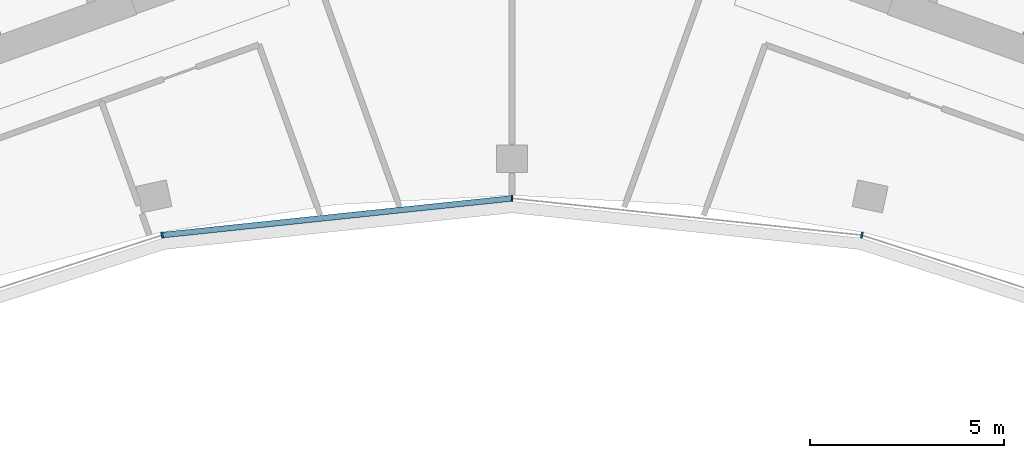
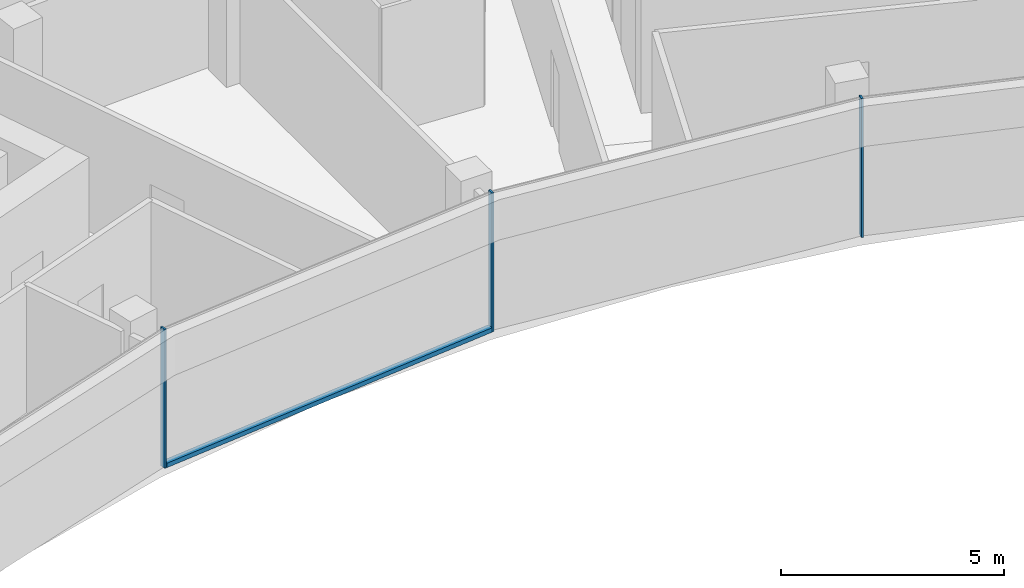
# One storey, part 5 of 18: 4 members, 1 element without a shape of its own.
"""IFC4 building model written with IfcOpenShell, lengths in metres."""

import ifcopenshell
import ifcopenshell.guid

model = None  # the IFC model being written
_history = None  # IfcOwnerHistory: only IFC2X3 demands one
_inside = {}  # id of a spatial element -> (the spatial element, [elements in it])
_under = {}  # id of a project, library or spatial element -> (it, [spatial elements below it])
_declared = {}  # id of a project -> (the project, [libraries it declares])
_typed = {}  # id of a type object -> (the type object, [elements of that type])
_made_of = {}  # id of a material, layer set ... -> (it, [elements and type objects made of it])


def new_model(schema):
    """Start an empty IFC model of exactly this schema.

    Asked for "IFC4X3", IfcOpenShell would pick the latest addendum, in which some entities
    have other attributes; the version numbers below select the first issue.
    IFC2X3 requires an IfcOwnerHistory on every rooted entity: one is made here for all.
    """
    global model, _history
    if schema == "IFC4X3":
        model = ifcopenshell.file(schema_version=(4, 3, 0, 0))
    else:
        model = ifcopenshell.file(schema=schema)
    _inside.clear()
    _under.clear()
    _declared.clear()
    _typed.clear()
    _made_of.clear()
    _history = None
    if model.schema == "IFC2X3":
        org = make("IfcOrganization", Name="unknown")
        user = make(
            "IfcPersonAndOrganization",
            ThePerson=make("IfcPerson", FamilyName="unknown"),
            TheOrganization=org,
        )
        app = make(
            "IfcApplication",
            ApplicationDeveloper=org,
            Version="unknown",
            ApplicationFullName="unknown",
            ApplicationIdentifier="unknown",
        )
        _history = make(
            "IfcOwnerHistory",
            OwningUser=user,
            OwningApplication=app,
            ChangeAction="ADDED",
            CreationDate=0,
        )
    return model


def make(cls, **values):
    """One entity of the class cls with the attributes given. An attribute that is None is left unset."""
    return model.create_entity(
        cls, **{name: value for name, value in values.items() if value is not None}
    )


def rooted(cls, **values):
    """An entity with a GlobalId (a new one), such as an element, a storey or a relation."""
    return make(cls, GlobalId=ifcopenshell.guid.new(), OwnerHistory=_history, **values)


def si_unit(unit_type, name, prefix=None):
    """IfcSIUnit, for example si_unit("LENGTHUNIT", "METRE", prefix="MILLI")."""
    return make("IfcSIUnit", UnitType=unit_type, Prefix=prefix, Name=name)


def assignment(units):
    """IfcUnitAssignment: the units of a project."""
    return None if units is None else make("IfcUnitAssignment", Units=units)


def point(xyz):
    """IfcCartesianPoint."""
    return None if xyz is None else make("IfcCartesianPoint", Coordinates=xyz)


def direction(xyz):
    """IfcDirection."""
    return None if xyz is None else make("IfcDirection", DirectionRatios=xyz)


def frame(location, z_axis=None, x_axis=None):
    """IfcAxis2Placement3D, a coordinate frame: its origin and axes. An axis left out is left unset."""
    return make(
        "IfcAxis2Placement3D",
        Location=point(location),
        Axis=direction(z_axis),
        RefDirection=direction(x_axis),
    )


def frame_2d(location, x_axis=None):
    """IfcAxis2Placement2D, a coordinate frame in the plane: its origin and x axis."""
    return make(
        "IfcAxis2Placement2D", Location=point(location), RefDirection=direction(x_axis)
    )


def origin():
    """The frame at (0, 0, 0) with its axes left unset."""
    return frame((0.0, 0.0, 0.0))


def origin_2d():
    """The frame at (0, 0) in the plane with its x axis left unset."""
    return frame_2d((0.0, 0.0))


def place(relative_to, where):
    """IfcLocalPlacement: puts the frame where relative to a parent placement (None: the world)."""
    return make(
        "IfcLocalPlacement", PlacementRelTo=relative_to, RelativePlacement=where
    )


def context(
    kind, dimensions, precision=None, world=None, true_north=None, identifier=None
):
    """IfcGeometricRepresentationContext, for example the 3D "Model" context."""
    return make(
        "IfcGeometricRepresentationContext",
        ContextIdentifier=identifier,
        ContextType=kind,
        CoordinateSpaceDimension=dimensions,
        Precision=precision,
        WorldCoordinateSystem=world,
        TrueNorth=true_north,
    )


def subcontext(parent, identifier, kind, view, scale=None):
    """IfcGeometricRepresentationSubContext, for example "Body" below "Model"."""
    return make(
        "IfcGeometricRepresentationSubContext",
        ContextIdentifier=identifier,
        ContextType=kind,
        ParentContext=parent,
        TargetScale=scale,
        TargetView=view,
    )


def project(units=None, contexts=None):
    """IfcProject with its units and contexts."""
    return rooted(
        "IfcProject",
        Name="project",
        RepresentationContexts=contexts,
        UnitsInContext=assignment(units),
    )


def spatial(cls, under=None, at=None, **own):
    """A site, building, storey or space (cls), placed at a placement, below another one or the project."""
    s = rooted(cls, ObjectPlacement=at, **own)
    if under is not None:
        _under.setdefault(under.id(), (under, []))[1].append(s)
    return s


def profile(cls, at=None, kind="AREA", **sizes):
    """A parametric profile (cls). Its sizes go by their IFC names, for example OverallWidth=200.0."""
    return make(cls, ProfileType=kind, Position=at, **sizes)


def rectangle(**sizes):
    """IfcRectangleProfileDef."""
    return profile("IfcRectangleProfileDef", **sizes)


def extrude(swept, where, along, depth):
    """IfcExtrudedAreaSolid: the profile swept, set in the frame where, extruded along a direction by depth."""
    return make(
        "IfcExtrudedAreaSolid",
        SweptArea=swept,
        Position=where,
        ExtrudedDirection=direction(along),
        Depth=depth,
    )


def shape(context_of_items, identifier, shape_type, items):
    """IfcShapeRepresentation: the items that make up one representation, for example the "Body"."""
    return make(
        "IfcShapeRepresentation",
        ContextOfItems=context_of_items,
        RepresentationIdentifier=identifier,
        RepresentationType=shape_type,
        Items=items,
    )


def material(Name=None, Category=None):
    """IfcMaterial."""
    return make("IfcMaterial", Name=Name, Category=Category)


def layer(
    of_material, thickness, ventilated=None, Name=None, Category=None, Priority=None
):
    """IfcMaterialLayer: one layer of a wall or slab, of a material (None: an air gap)."""
    return make(
        "IfcMaterialLayer",
        Material=of_material,
        LayerThickness=thickness,
        IsVentilated=ventilated,
        Name=Name,
        Category=Category,
        Priority=Priority,
    )


def layer_set(layers, Name=None):
    """IfcMaterialLayerSet."""
    return make("IfcMaterialLayerSet", MaterialLayers=layers, LayerSetName=Name)


def material_profile(
    of_material, cross_section, Name=None, Category=None, Priority=None
):
    """IfcMaterialProfile: a cross section and its material."""
    return make(
        "IfcMaterialProfile",
        Name=Name,
        Material=of_material,
        Profile=cross_section,
        Priority=Priority,
        Category=Category,
    )


def profile_set(profiles, Name=None, composite=None):
    """IfcMaterialProfileSet."""
    return make(
        "IfcMaterialProfileSet",
        Name=Name,
        MaterialProfiles=profiles,
        CompositeProfile=composite,
    )


def made_of(thing, what):
    """Note that an element or type object is made of a material, layer set ...; save() writes the relation."""
    if what is not None:
        _made_of.setdefault(what.id(), (what, []))[1].append(thing)
    return thing


def type_object(cls, material=None, **own):
    """A type object (cls), such as IfcWallType, which elements share."""
    return made_of(rooted(cls, **own), material)


def element(
    cls,
    number,
    at=None,
    inside=None,
    cuts=None,
    type_object=None,
    material=None,
    context=None,
    identifier="Body",
    shape_type=None,
    held_by="IfcProductDefinitionShape",
    body=None,
    shapes=None,
    **own,
):
    """One element of the class cls, such as IfcWall. Its Tag is "e" and its number.

    at: its placement. inside: the storey or other place that contains it. cuts: it is an
    opening in that element (IfcRelVoidsElement). A single representation is given by context,
    identifier, shape_type and body (its items); several are given by shapes. held_by: the class
    of the entity that holds the representations. save() writes the other relations.
    """
    e = rooted(cls, Tag="e%d" % number, ObjectPlacement=at, **own)
    if body is not None:
        shapes = [shape(context, identifier, shape_type, body)]
    if shapes is not None:
        e.Representation = make(held_by, Representations=shapes)
    if inside is not None:
        _inside.setdefault(inside.id(), (inside, []))[1].append(e)
    if cuts is not None:
        rooted(
            "IfcRelVoidsElement", RelatingBuildingElement=cuts, RelatedOpeningElement=e
        )
    if type_object is not None:
        _typed.setdefault(type_object.id(), (type_object, []))[1].append(e)
    return made_of(e, material)


def aggregate(whole, parts):
    """IfcRelAggregates: a whole, such as a stair, and the parts it consists of."""
    return rooted("IfcRelAggregates", RelatingObject=whole, RelatedObjects=parts)


def save(model, path):
    """Write the relations noted so far, then the file.

    IfcRelAggregates (storeys below a building ...), IfcRelContainedInSpatialStructure (elements
    in a storey), IfcRelDefinesByType, IfcRelAssociatesMaterial and IfcRelDeclares: one each for
    every whole, place, type object, material and project.
    """
    for whole, parts in _under.values():
        aggregate(whole, parts)
    for where, things in _inside.values():
        rooted(
            "IfcRelContainedInSpatialStructure",
            RelatedElements=things,
            RelatingStructure=where,
        )
    for kind, things in _typed.values():
        rooted("IfcRelDefinesByType", RelatedObjects=things, RelatingType=kind)
    for what, things in _made_of.values():
        rooted("IfcRelAssociatesMaterial", RelatedObjects=things, RelatingMaterial=what)
    for by, libraries in _declared.values():
        rooted("IfcRelDeclares", RelatingContext=by, RelatedDefinitions=libraries)
    model.write(path)


model = new_model("IFC4")

# Units and contexts
model_context = context("Model", 3, precision=1e-05, world=origin(), true_north=direction((0.0, 1.0)))
body_context = subcontext(model_context, "Body", "Model", "MODEL_VIEW")
ifc_project = project(units=[si_unit("LENGTHUNIT", "METRE"), si_unit("AREAUNIT", "SQUARE_METRE"), si_unit("VOLUMEUNIT", "CUBIC_METRE"), si_unit("PLANEANGLEUNIT", "RADIAN"), si_unit("MASSUNIT", "GRAM", prefix="KILO")], contexts=[model_context])

# Site, building, storey
site_placement = place(None, origin())
site = spatial("IfcSite", under=ifc_project, at=site_placement, CompositionType="ELEMENT")
building_placement = place(site_placement, origin())
building = spatial("IfcBuilding", under=site, at=building_placement, Name="Stone Belt Terrace Tower", CompositionType="ELEMENT")
storey_placement = place(building_placement, frame((0.0, 0.0, 277.0)))
storey = spatial("IfcBuildingStorey", under=building, at=storey_placement, Name="L67", CompositionType="ELEMENT", Elevation=277.0)

# Curtain wall, members
ifc_material = material(Name="Aluminium 6063-T6 anodised frame", Category="aluminium")
ifc_layer = layer(ifc_material, 0.14990234375)
ifc_layer_set = layer_set([ifc_layer], Name="CW-B unitised concave-face curtain wall")
curtain_wall_type = type_object("IfcCurtainWallType", Name="CW-B unitised concave-face curtain wall", PredefinedType="NOTDEFINED", material=ifc_layer_set)
curtain_wall_placement = place(storey_placement, origin())
curtain_wall = element("IfcCurtainWall", 1, at=curtain_wall_placement, inside=storey, type_object=curtain_wall_type, Name="CW-B concave face L67", PredefinedType="NOTDEFINED")
ifc_material_profile_1 = material_profile(ifc_material, rectangle(XDim=0.14990234375, YDim=0.050048828125, at=origin_2d()), Name="Aluminium 6063-T6 50x150")
ifc_profile_set_1 = profile_set([ifc_material_profile_1], Name="Aluminium 6063-T6 anodised frame")
member_type_1 = type_object("IfcMemberType", Name="CW-B mullion 50 x 150", PredefinedType="MULLION", material=ifc_profile_set_1)
member_1_placement = place(storey_placement, frame((-9.028564453125, 42.4755859375, 0.0), z_axis=(0.0, 0.0, 1.0), x_axis=(-0.207911690818, 0.978147600734, 0.0)))
member_1 = element("IfcMember", 2, at=member_1_placement, type_object=member_type_1, Name="CW-B mullion 4", PredefinedType="MULLION", context=body_context, shape_type="SweptSolid", body=[
    extrude(rectangle(XDim=0.14990234375, YDim=0.050048828125, at=origin_2d()), origin(), (0.0, 0.0, 1.0), 3.800048828125),
])
member_2_placement = place(storey_placement, frame((0.0, 43.424560546875, 0.0), z_axis=(0.0, 0.0, 1.0), x_axis=(0.0, 1.0, 0.0)))
member_2 = element("IfcMember", 3, at=member_2_placement, type_object=member_type_1, Name="CW-B mullion 5", PredefinedType="MULLION", context=body_context, shape_type="SweptSolid", body=[
    extrude(rectangle(XDim=0.14990234375, YDim=0.050048828125, at=origin_2d()), origin(), (0.0, 0.0, 1.0), 3.800048828125),
])
member_3_placement = place(storey_placement, frame((9.028564453125, 42.4755859375, 0.0), z_axis=(0.0, 0.0, 1.0), x_axis=(0.207911690818, 0.978147600734, 0.0)))
member_3 = element("IfcMember", 4, at=member_3_placement, type_object=member_type_1, Name="CW-B mullion 6", PredefinedType="MULLION", context=body_context, shape_type="SweptSolid", body=[
    extrude(rectangle(XDim=0.14990234375, YDim=0.050048828125, at=origin_2d()), origin(), (0.0, 0.0, 1.0), 3.800048828125),
])
ifc_material_profile_2 = material_profile(ifc_material, rectangle(XDim=0.14990234375, YDim=0.1201171875, at=origin_2d()), Name="Aluminium 6063-T6 150x120")
ifc_profile_set_2 = profile_set([ifc_material_profile_2], Name="Aluminium 6063-T6 anodised frame")
member_type_2 = type_object("IfcMemberType", Name="CW-B transom 120 x 150", PredefinedType="USERDEFINED", material=ifc_profile_set_2)
member_4_placement = place(storey_placement, frame((-8.995849609375, 42.47900390625, 0.06005859375), z_axis=(0.994521323407, 0.104533904969, 0.0), x_axis=(-0.104533904969, 0.994521323407, 0.0)))
member_4 = element("IfcMember", 5, at=member_4_placement, type_object=member_type_2, Name="CW-B transom 4.1", ObjectType="TRANSOM", PredefinedType="USERDEFINED", context=body_context, shape_type="SweptSolid", body=[
    extrude(rectangle(XDim=0.14990234375, YDim=0.1201171875, at=origin_2d()), origin(), (0.0, 0.0, 1.0), 9.0126953125),
])
aggregate(curtain_wall, [member_1, member_2, member_3, member_4])

save(model, "model.ifc")
